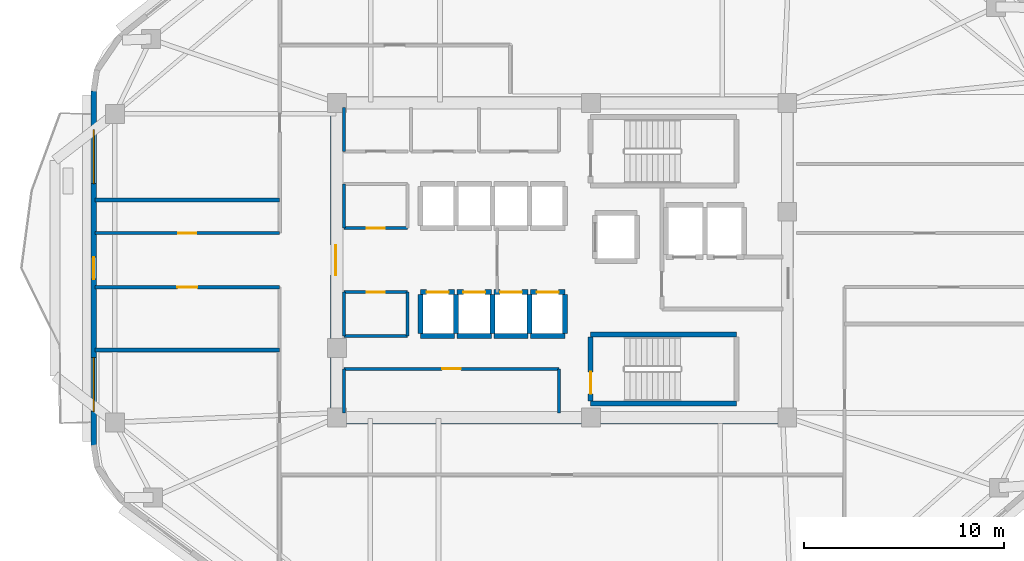
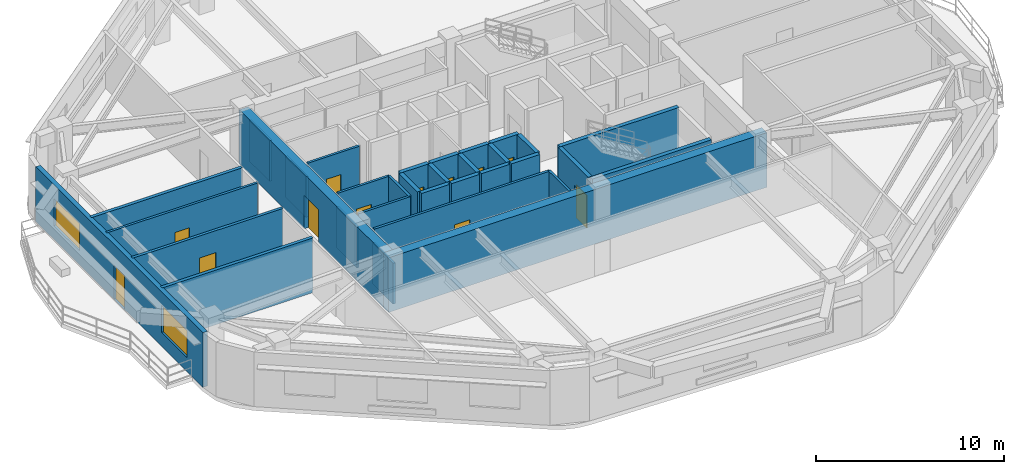
# One storey, part 3 of 8: 33 walls, 12 doors, 2 windows, 14 openings.
"""IFC4 building model written with IfcOpenShell, lengths in metres."""

from ifc_helpers import new_model, si_unit, direction, frame, frame_2d, origin, place, context, subcontext, project, spatial, rectangle, extrude, material, layer, layer_set, type_object, element, fill, save


model = new_model("IFC4")

# Units and contexts
model_context = context("Model", 3, precision=1e-05, world=origin(), true_north=direction((0.0, 1.0)))
body_context = subcontext(model_context, "Body", "Model", "MODEL_VIEW")
ifc_project = project(units=[si_unit("LENGTHUNIT", "METRE"), si_unit("AREAUNIT", "SQUARE_METRE"), si_unit("VOLUMEUNIT", "CUBIC_METRE"), si_unit("PLANEANGLEUNIT", "RADIAN"), si_unit("MASSUNIT", "GRAM", prefix="KILO")], contexts=[model_context])

# Site, building, storey
site_placement = place(None, origin())
site = spatial("IfcSite", under=ifc_project, at=site_placement, CompositionType="ELEMENT")
building_placement = place(site_placement, origin())
building = spatial("IfcBuilding", under=site, at=building_placement, Name="Zulverin Broadcast Headquarters", CompositionType="ELEMENT")
storey_placement = place(building_placement, frame((0.0, 0.0, 174.39990234375)))
storey = spatial("IfcBuildingStorey", under=building, at=storey_placement, Name="L44", CompositionType="ELEMENT", Elevation=174.39990234375)

# Walls
ifc_material_1 = material(Name="Acoustic drywall steel stud", Category="steel")
ifc_layer_1 = layer(ifc_material_1, 0.199951171875, Name="Acoustic drywall steel stud", Category="steel")
ifc_layer_set_1 = layer_set([ifc_layer_1], Name="Acoustic drywall steel stud")
wall_type_1 = type_object("IfcWallType", Name="WL-ACOU-200", PredefinedType="PARTITIONING", material=ifc_layer_set_1)
for number, where, z_axis, x_axis, name in (
    (1, (13.60498046875, 20.699951171875, 0.0), (0.0, 0.0, 1.0), (1.0, 0.0, 0.0), "L44 Room Partition Wall RP-06"),
    (2, (13.60498046875, 28.199951171875, 0.0), (0.0, 0.0, 1.0), (1.0, 0.0, 0.0), "L44 Room Partition Wall RP-12"),
):
    element("IfcWall", number, at=place(storey_placement, frame(where, z_axis=z_axis, x_axis=x_axis)), inside=storey, type_object=wall_type_1, Name=name, PredefinedType="PARTITIONING", context=body_context, shape_type="SweptSolid", body=[
        extrude(rectangle(XDim=9.2451171875, YDim=0.199951171875, at=frame_2d((4.62255859375, 0.0))), origin(), (0.0, 0.0, 1.0), 3.5400390625),
    ])
ifc_material_2 = material(Name="Concrete C60/75", Category="concrete")
ifc_layer_2 = layer(ifc_material_2, 0.550048828125, Name="Concrete C60/75", Category="concrete")
ifc_layer_set_2 = layer_set([ifc_layer_2], Name="Concrete C60/75")
wall_type_2 = type_object("IfcWallType", Name="WL-CORE-550", PredefinedType="SHEAR", material=ifc_layer_set_2)
wall_1_placement = place(storey_placement, frame((25.39990234375, 17.27490234375, 0.0), z_axis=(0.0, 0.0, 1.0), x_axis=(1.0, 0.0, 0.0)))
element("IfcWall", 3, at=wall_1_placement, inside=storey, type_object=wall_type_2, Name="L44 Core South Shear Wall", PredefinedType="SHEAR", context=body_context, shape_type="SweptSolid", body=[
    extrude(rectangle(XDim=23.2001953125, YDim=0.550048828125, at=frame_2d((11.60009765625, 0.0))), origin(), (0.0, 0.0, 1.0), 3.5400390625),
])

# Wall, opening, door
wall_2_placement = place(storey_placement, frame((25.675048828125, 17.550048828125, 0.0), z_axis=(0.0, 0.0, 1.0), x_axis=(0.0, 1.0, 0.0)))
wall_2 = element("IfcWall", 4, at=wall_2_placement, inside=storey, type_object=wall_type_2, Name="L44 Core West Shear Wall", PredefinedType="SHEAR", context=body_context, shape_type="SweptSolid", body=[
    extrude(rectangle(XDim=15.300048828125, YDim=0.550048828125, at=frame_2d((7.64990234375, 0.0))), origin(), (0.0, 0.0, 1.0), 3.5400390625),
])
opening_1_placement = place(wall_2_placement, frame((6.89990234375, 0.0, 0.0)))
opening_1 = element("IfcOpeningElement", 5, at=opening_1_placement, cuts=wall_2, Name="Opening D-L44-CW1", PredefinedType="OPENING", context=body_context, shape_type="SweptSolid", body=[
    extrude(rectangle(XDim=1.5, YDim=2.14990234375, at=frame_2d((0.75, 1.074951171875))), frame((0.0, 0.284912109375, 0.0), z_axis=(0.0, -1.0, 0.0), x_axis=(1.0, 0.0, 0.0)), (0.0, 0.0, 1.0), 0.570068359375),
])
ifc_material_3 = material(Name="Fire-rated glazed steel frame", Category="steel")
door_type_1 = type_object("IfcDoorType", Name="DR-COR-1500", OperationType="DOUBLE_DOOR_SINGLE_SWING", PredefinedType="DOOR", material=ifc_material_3)
door_1_placement = place(opening_1_placement, origin())
door_1 = element("IfcDoor", 6, at=door_1_placement, inside=storey, type_object=door_type_1, Name="L44 Central Lift Lobby West Portal Door", OperationType="DOUBLE_DOOR_SINGLE_SWING", OverallHeight=2.14990234375, OverallWidth=1.5, PredefinedType="DOOR", context=body_context, shape_type="SweptSolid", body=[
    extrude(rectangle(XDim=1.5, YDim=2.14990234375, at=frame_2d((0.75, 1.074951171875))), frame((0.0, 0.02490234375, 0.0), z_axis=(0.0, -1.0, 0.0), x_axis=(1.0, 0.0, 0.0)), (0.0, 0.0, 1.0), 0.050048828125),
])
fill(opening_1, door_1)

# Wall, openings, door, windows
ifc_material_4 = material(Name="Insulated pale-metal clad concrete spandrel C40/50", Category="concrete")
ifc_layer_3 = layer(ifc_material_4, 0.280029296875, Name="Insulated pale-metal clad concrete spandrel C40/50", Category="concrete")
ifc_layer_set_3 = layer_set([ifc_layer_3], Name="Insulated pale-metal clad concrete spandrel C40/50")
wall_type_3 = type_object("IfcWallType", Name="WL-EXT-280", PredefinedType="STANDARD", material=ifc_layer_set_3)
wall_3_placement = place(storey_placement, frame((13.5400390625, 33.673095703125, 0.0), z_axis=(0.0, 0.0, 1.0), x_axis=(0.0, -1.0, 0.0)))
wall_3 = element("IfcWall", 7, at=wall_3_placement, inside=storey, type_object=wall_type_3, Name="L44 Pale-Metal Clad Spandrel Wall 7", PredefinedType="STANDARD", context=body_context, shape_type="SweptSolid", body=[
    extrude(rectangle(XDim=17.751220703125, YDim=0.280029296875, at=frame_2d((8.87548828125, 0.0))), origin(), (0.0, 0.0, 1.0), 3.5400390625),
])
opening_2_placement = place(wall_3_placement, frame((8.32568359375, 0.0, 0.0)))
opening_2 = element("IfcOpeningElement", 8, at=opening_2_placement, cuts=wall_3, Name="Opening D-L44-TR7", PredefinedType="OPENING", context=body_context, shape_type="SweptSolid", body=[
    extrude(rectangle(XDim=1.10009765625, YDim=2.199951171875, at=frame_2d((0.550048828125, 1.10009765625))), frame((0.0, 0.14990234375, 0.0), z_axis=(0.0, -1.0, 0.0), x_axis=(1.0, 0.0, 0.0)), (0.0, 0.0, 1.0), 0.300048828125),
])
opening_3_placement = place(wall_3_placement, frame((1.94189453125, 0.0, 0.89990234375)))
opening_3 = element("IfcOpeningElement", 9, at=opening_3_placement, cuts=wall_3, Name="Opening W-L44-E71", PredefinedType="OPENING", context=body_context, shape_type="SweptSolid", body=[
    extrude(rectangle(XDim=2.699951171875, YDim=1.75, at=frame_2d((1.35009765625, 0.875))), frame((0.0, 0.14990234375, 0.0), z_axis=(0.0, -1.0, 0.0), x_axis=(1.0, 0.0, 0.0)), (0.0, 0.0, 1.0), 0.300048828125),
])
opening_4_placement = place(wall_3_placement, frame((13.359375, 0.0, 0.89990234375)))
opening_4 = element("IfcOpeningElement", 10, at=opening_4_placement, cuts=wall_3, Name="Opening W-L44-E72", PredefinedType="OPENING", context=body_context, shape_type="SweptSolid", body=[
    extrude(rectangle(XDim=2.699951171875, YDim=1.75, at=frame_2d((1.35009765625, 0.875))), frame((0.0, 0.14990234375, 0.0), z_axis=(0.0, -1.0, 0.0), x_axis=(1.0, 0.0, 0.0)), (0.0, 0.0, 1.0), 0.300048828125),
])
ifc_material_5 = material(Name="Thermally broken aluminium glazed", Category="aluminium")
door_type_2 = type_object("IfcDoorType", Name="DR-TERR-1100", OperationType="SINGLE_SWING_RIGHT", PredefinedType="DOOR", material=ifc_material_5)
door_2_placement = place(opening_2_placement, origin())
door_2 = element("IfcDoor", 11, at=door_2_placement, inside=storey, type_object=door_type_2, Name="L44 Planted Terrace Glazed Access Door 7", OperationType="SINGLE_SWING_RIGHT", OverallHeight=2.199951171875, OverallWidth=1.10009765625, PredefinedType="DOOR", context=body_context, shape_type="SweptSolid", body=[
    extrude(rectangle(XDim=1.10009765625, YDim=2.199951171875, at=frame_2d((0.550048828125, 1.10009765625))), frame((0.0, 0.02490234375, 0.0), z_axis=(0.0, -1.0, 0.0), x_axis=(1.0, 0.0, 0.0)), (0.0, 0.0, 1.0), 0.050048828125),
])
fill(opening_2, door_2)
ifc_material_6 = material(Name="Pale anodized aluminium frame with solar-control low-E double glazing", Category="aluminium")
window_type = type_object("IfcWindowType", Name="WIN-TWR-2700", PartitioningType="SINGLE_PANEL", PredefinedType="WINDOW", material=ifc_material_6)
window_1_placement = place(opening_3_placement, origin())
window_1 = element("IfcWindow", 12, at=window_1_placement, inside=storey, type_object=window_type, Name="L44 Ribbon Glazing Window 7 1", OverallHeight=1.75, OverallWidth=2.699951171875, PartitioningType="SINGLE_PANEL", PredefinedType="WINDOW", context=body_context, shape_type="SweptSolid", body=[
    extrude(rectangle(XDim=2.699951171875, YDim=1.75, at=frame_2d((1.35009765625, 0.875))), frame((0.0, 0.030029296875, 0.0), z_axis=(0.0, -1.0, 0.0), x_axis=(1.0, 0.0, 0.0)), (0.0, 0.0, 1.0), 0.06005859375),
])
fill(opening_3, window_1)
window_2_placement = place(opening_4_placement, origin())
window_2 = element("IfcWindow", 13, at=window_2_placement, inside=storey, type_object=window_type, Name="L44 Ribbon Glazing Window 7 2", OverallHeight=1.75, OverallWidth=2.699951171875, PartitioningType="SINGLE_PANEL", PredefinedType="WINDOW", context=body_context, shape_type="SweptSolid", body=[
    extrude(rectangle(XDim=2.699951171875, YDim=1.75, at=frame_2d((1.35009765625, 0.875))), frame((0.0, 0.030029296875, 0.0), z_axis=(0.0, -1.0, 0.0), x_axis=(1.0, 0.0, 0.0)), (0.0, 0.0, 1.0), 0.06005859375),
])
fill(opening_4, window_2)

# Wall
ifc_material_7 = material(Name="Fire-rated gypsum stud partition", Category="gypsum")
ifc_layer_4 = layer(ifc_material_7, 0.14990234375, Name="Fire-rated gypsum stud partition", Category="gypsum")
ifc_layer_set_4 = layer_set([ifc_layer_4], Name="Fire-rated gypsum stud partition")
wall_type_4 = type_object("IfcWallType", Name="WL-PART-150", PredefinedType="PARTITIONING", material=ifc_layer_set_4)
wall_4_placement = place(storey_placement, frame((26.070068359375, 30.64990234375, 0.0), z_axis=(0.0, 0.0, 1.0), x_axis=(0.0, 1.0, 0.0)))
element("IfcWall", 14, at=wall_4_placement, inside=storey, type_object=wall_type_4, Name="L44 Core Accessible WC West Wall", PredefinedType="PARTITIONING", context=body_context, shape_type="SweptSolid", body=[
    extrude(rectangle(XDim=2.2001953125, YDim=0.14990234375, at=frame_2d((1.10009765625, 0.0))), origin(), (0.0, 0.0, 1.0), 2.64013671875),
])

# Wall, opening, door
wall_5_placement = place(storey_placement, frame((26.070068359375, 19.75, 0.0), z_axis=(0.0, 0.0, 1.0), x_axis=(1.0, 0.0, 0.0)))
wall_5 = element("IfcWall", 15, at=wall_5_placement, inside=storey, type_object=wall_type_4, Name="L44 Core Female WC & Facilities Room Front Wall", PredefinedType="PARTITIONING", context=body_context, shape_type="SweptSolid", body=[
    extrude(rectangle(XDim=10.780029296875, YDim=0.14990234375, at=frame_2d((5.39013671875, 0.0))), origin(), (0.0, 0.0, 1.0), 3.5400390625),
])
opening_5_placement = place(wall_5_placement, frame((4.9150390625, 0.0, 0.0)))
opening_5 = element("IfcOpeningElement", 16, at=opening_5_placement, cuts=wall_5, Name="Opening D-L44-SC1", PredefinedType="OPENING", context=body_context, shape_type="SweptSolid", body=[
    extrude(rectangle(XDim=0.949951171875, YDim=2.10009765625, at=frame_2d((0.47509765625, 1.050048828125))), frame((0.0, 0.0849609375, 0.0), z_axis=(0.0, -1.0, 0.0), x_axis=(1.0, 0.0, 0.0)), (0.0, 0.0, 1.0), 0.169921875),
])
ifc_material_8 = material(Name="Fire-rated moisture-resistant laminate leaf", Category="wood")
door_type_3 = type_object("IfcDoorType", Name="DR-WC-950", OperationType="SINGLE_SWING_LEFT", PredefinedType="DOOR", material=ifc_material_8)
door_3_placement = place(opening_5_placement, origin())
door_3 = element("IfcDoor", 17, at=door_3_placement, inside=storey, type_object=door_type_3, Name="L44 Female WC & Facilities Room Door", OperationType="SINGLE_SWING_RIGHT", OverallHeight=2.10009765625, OverallWidth=0.949951171875, PredefinedType="DOOR", context=body_context, shape_type="SweptSolid", body=[
    extrude(rectangle(XDim=0.949951171875, YDim=2.10009765625, at=frame_2d((0.47509765625, 1.050048828125))), frame((0.0, 0.02490234375, 0.0), z_axis=(0.0, -1.0, 0.0), x_axis=(1.0, 0.0, 0.0)), (0.0, 0.0, 1.0), 0.050048828125),
])
fill(opening_5, door_3)

# Walls
wall_6_placement = place(storey_placement, frame((26.070068359375, 17.550048828125, 0.0), z_axis=(0.0, 0.0, 1.0), x_axis=(0.0, 1.0, 0.0)))
element("IfcWall", 18, at=wall_6_placement, inside=storey, type_object=wall_type_4, Name="L44 Core Female WC & Facilities Room West Wall", PredefinedType="PARTITIONING", context=body_context, shape_type="SweptSolid", body=[
    extrude(rectangle(XDim=2.199951171875, YDim=0.14990234375, at=frame_2d((1.10009765625, 0.0))), origin(), (0.0, 0.0, 1.0), 2.64013671875),
])
wall_7_placement = place(storey_placement, frame((36.85009765625, 17.550048828125, 0.0), z_axis=(0.0, 0.0, 1.0), x_axis=(0.0, 1.0, 0.0)))
element("IfcWall", 19, at=wall_7_placement, inside=storey, type_object=wall_type_4, Name="L44 Core Female WC & Facilities Room East Wall", PredefinedType="PARTITIONING", context=body_context, shape_type="SweptSolid", body=[
    extrude(rectangle(XDim=2.199951171875, YDim=0.14990234375, at=frame_2d((1.10009765625, 0.0))), origin(), (0.0, 0.0, 1.0), 3.5400390625),
])

# Wall, opening, door
wall_8_placement = place(storey_placement, frame((26.070068359375, 26.800048828125, 0.0), z_axis=(0.0, 0.0, 1.0), x_axis=(1.0, 0.0, 0.0)))
wall_8 = element("IfcWall", 20, at=wall_8_placement, inside=storey, type_object=wall_type_4, Name="L44 Core UPS Battery Store S Wall", PredefinedType="PARTITIONING", context=body_context, shape_type="SweptSolid", body=[
    extrude(rectangle(XDim=3.179931640625, YDim=0.14990234375, at=frame_2d((1.58984375, 0.0))), origin(), (0.0, 0.0, 1.0), 3.5400390625),
])
opening_6_placement = place(wall_8_placement, frame((1.139892578125, 0.0, 0.0)))
opening_6 = element("IfcOpeningElement", 21, at=opening_6_placement, cuts=wall_8, Name="Opening D-L44-RCLN", PredefinedType="OPENING", context=body_context, shape_type="SweptSolid", body=[
    extrude(rectangle(XDim=0.89990234375, YDim=2.10009765625, at=frame_2d((0.449951171875, 1.050048828125))), frame((0.0, 0.0849609375, 0.0), z_axis=(0.0, -1.0, 0.0), x_axis=(1.0, 0.0, 0.0)), (0.0, 0.0, 1.0), 0.169921875),
])
ifc_material_9 = material(Name="Powder-coated steel access leaf", Category="steel")
door_type_4 = type_object("IfcDoorType", Name="DR-RISER-900", OperationType="SINGLE_SWING_LEFT", PredefinedType="DOOR", material=ifc_material_9)
door_4_placement = place(opening_6_placement, origin())
door_4 = element("IfcDoor", 22, at=door_4_placement, inside=storey, type_object=door_type_4, Name="L44 Core UPS Battery Store Door", OperationType="SINGLE_SWING_LEFT", OverallHeight=2.10009765625, OverallWidth=0.89990234375, PredefinedType="DOOR", context=body_context, shape_type="SweptSolid", body=[
    extrude(rectangle(XDim=0.89990234375, YDim=2.10009765625, at=frame_2d((0.449951171875, 1.050048828125))), frame((0.0, 0.02490234375, 0.0), z_axis=(0.0, -1.0, 0.0), x_axis=(1.0, 0.0, 0.0)), (0.0, 0.0, 1.0), 0.050048828125),
])
fill(opening_6, door_4)

# Walls
wall_9_placement = place(storey_placement, frame((26.070068359375, 26.800048828125, 0.0), z_axis=(0.0, 0.0, 1.0), x_axis=(0.0, 1.0, 0.0)))
element("IfcWall", 23, at=wall_9_placement, inside=storey, type_object=wall_type_4, Name="L44 Core UPS Battery Store W Wall", PredefinedType="PARTITIONING", context=body_context, shape_type="SweptSolid", body=[
    extrude(rectangle(XDim=2.199951171875, YDim=0.14990234375, at=frame_2d((1.10009765625, 0.0))), origin(), (0.0, 0.0, 1.0), 2.64013671875),
])
wall_10_placement = place(storey_placement, frame((26.070068359375, 21.39990234375, 0.0), z_axis=(0.0, 0.0, 1.0), x_axis=(1.0, 0.0, 0.0)))
element("IfcWall", 24, at=wall_10_placement, inside=storey, type_object=wall_type_4, Name="L44 Media Ingestion Server Room S Wall", PredefinedType="PARTITIONING", context=body_context, shape_type="SweptSolid", body=[
    extrude(rectangle(XDim=3.179931640625, YDim=0.14990234375, at=frame_2d((1.58984375, 0.0))), origin(), (0.0, 0.0, 1.0), 3.5400390625),
])

# Wall, opening, door
wall_11_placement = place(storey_placement, frame((26.070068359375, 23.60009765625, 0.0), z_axis=(0.0, 0.0, 1.0), x_axis=(1.0, 0.0, 0.0)))
wall_11 = element("IfcWall", 25, at=wall_11_placement, inside=storey, type_object=wall_type_4, Name="L44 Media Ingestion Server Room N Wall", PredefinedType="PARTITIONING", context=body_context, shape_type="SweptSolid", body=[
    extrude(rectangle(XDim=3.179931640625, YDim=0.14990234375, at=frame_2d((1.58984375, 0.0))), origin(), (0.0, 0.0, 1.0), 3.5400390625),
])
opening_7_placement = place(wall_11_placement, frame((1.139892578125, 0.0, 0.0)))
opening_7 = element("IfcOpeningElement", 26, at=opening_7_placement, cuts=wall_11, Name="Opening D-L44-RCLS", PredefinedType="OPENING", context=body_context, shape_type="SweptSolid", body=[
    extrude(rectangle(XDim=0.89990234375, YDim=2.10009765625, at=frame_2d((0.449951171875, 1.050048828125))), frame((0.0, 0.0849609375, 0.0), z_axis=(0.0, -1.0, 0.0), x_axis=(1.0, 0.0, 0.0)), (0.0, 0.0, 1.0), 0.169921875),
])
door_5_placement = place(opening_7_placement, origin())
door_5 = element("IfcDoor", 27, at=door_5_placement, inside=storey, type_object=door_type_4, Name="L44 Media Ingestion Server Room Door", OperationType="SINGLE_SWING_RIGHT", OverallHeight=2.10009765625, OverallWidth=0.89990234375, PredefinedType="DOOR", context=body_context, shape_type="SweptSolid", body=[
    extrude(rectangle(XDim=0.89990234375, YDim=2.10009765625, at=frame_2d((0.449951171875, 1.050048828125))), frame((0.0, 0.02490234375, 0.0), z_axis=(0.0, -1.0, 0.0), x_axis=(1.0, 0.0, 0.0)), (0.0, 0.0, 1.0), 0.050048828125),
])
fill(opening_7, door_5)

# Walls
wall_12_placement = place(storey_placement, frame((26.070068359375, 21.39990234375, 0.0), z_axis=(0.0, 0.0, 1.0), x_axis=(0.0, 1.0, 0.0)))
element("IfcWall", 28, at=wall_12_placement, inside=storey, type_object=wall_type_4, Name="L44 Media Ingestion Server Room W Wall", PredefinedType="PARTITIONING", context=body_context, shape_type="SweptSolid", body=[
    extrude(rectangle(XDim=2.2001953125, YDim=0.14990234375, at=frame_2d((1.10009765625, 0.0))), origin(), (0.0, 0.0, 1.0), 2.64013671875),
])
wall_13_placement = place(storey_placement, frame((29.25, 21.39990234375, 0.0), z_axis=(0.0, 0.0, 1.0), x_axis=(0.0, 1.0, 0.0)))
element("IfcWall", 29, at=wall_13_placement, inside=storey, type_object=wall_type_4, Name="L44 Media Ingestion Server Room E Wall", PredefinedType="PARTITIONING", context=body_context, shape_type="SweptSolid", body=[
    extrude(rectangle(XDim=2.2001953125, YDim=0.14990234375, at=frame_2d((1.10009765625, 0.0))), origin(), (0.0, 0.0, 1.0), 3.5400390625),
])

# Wall, opening, door
wall_14_placement = place(storey_placement, frame((13.60498046875, 26.550048828125, 0.0), z_axis=(0.0, 0.0, 1.0), x_axis=(1.0, 0.0, 0.0)))
wall_14 = element("IfcWall", 30, at=wall_14_placement, inside=storey, type_object=wall_type_4, Name="L44 Gallery Partition Wall CG-10", PredefinedType="PARTITIONING", context=body_context, shape_type="SweptSolid", body=[
    extrude(rectangle(XDim=9.2451171875, YDim=0.14990234375, at=frame_2d((4.62255859375, 0.0))), origin(), (0.0, 0.0, 1.0), 3.5400390625),
])
opening_8_placement = place(wall_14_placement, frame((4.172607421875, 0.0, 0.0)))
opening_8 = element("IfcOpeningElement", 31, at=opening_8_placement, cuts=wall_14, Name="Opening D-L44-05", PredefinedType="OPENING", context=body_context, shape_type="SweptSolid", body=[
    extrude(rectangle(XDim=0.89990234375, YDim=2.10009765625, at=frame_2d((0.449951171875, 1.050048828125))), frame((0.0, 0.0849609375, 0.0), z_axis=(0.0, -1.0, 0.0), x_axis=(1.0, 0.0, 0.0)), (0.0, 0.0, 1.0), 0.169921875),
])
ifc_material_10 = material(Name="Fire-rated hardwood veneer timber leaf", Category="wood")
door_type_5 = type_object("IfcDoorType", Name="DR-ROOM-900", OperationType="SINGLE_SWING_RIGHT", PredefinedType="DOOR", material=ifc_material_10)
door_6_placement = place(opening_8_placement, origin())
door_6 = element("IfcDoor", 32, at=door_6_placement, inside=storey, type_object=door_type_5, Name="L44 Editorial Meeting Room Door", OperationType="SINGLE_SWING_RIGHT", OverallHeight=2.10009765625, OverallWidth=0.89990234375, PredefinedType="DOOR", context=body_context, shape_type="SweptSolid", body=[
    extrude(rectangle(XDim=0.89990234375, YDim=2.10009765625, at=frame_2d((0.449951171875, 1.050048828125))), frame((0.0, 0.02490234375, 0.0), z_axis=(0.0, -1.0, 0.0), x_axis=(1.0, 0.0, 0.0)), (0.0, 0.0, 1.0), 0.050048828125),
])
fill(opening_8, door_6)

ifc_material_11 = material(Name="Fire-rated acoustic stud wall", Category="gypsum")
ifc_layer_5 = layer(ifc_material_11, 0.175048828125, Name="Fire-rated acoustic stud wall", Category="gypsum")
ifc_layer_set_5 = layer_set([ifc_layer_5], Name="Fire-rated acoustic stud wall")
wall_type_5 = type_object("IfcWallType", Name="WL-PART-175", PredefinedType="PARTITIONING", material=ifc_layer_set_5)
wall_15_placement = place(storey_placement, frame((13.60498046875, 23.85009765625, 0.0), z_axis=(0.0, 0.0, 1.0), x_axis=(1.0, 0.0, 0.0)))
wall_15 = element("IfcWall", 33, at=wall_15_placement, inside=storey, type_object=wall_type_5, Name="L44 Gallery Partition Wall CG-08", PredefinedType="PARTITIONING", context=body_context, shape_type="SweptSolid", body=[
    extrude(rectangle(XDim=9.2451171875, YDim=0.175048828125, at=frame_2d((4.62255859375, 0.0))), origin(), (0.0, 0.0, 1.0), 3.5400390625),
])
opening_9_placement = place(wall_15_placement, frame((4.12255859375, 0.0, 0.0)))
opening_9 = element("IfcOpeningElement", 34, at=opening_9_placement, cuts=wall_15, Name="Opening D-L44-04", PredefinedType="OPENING", context=body_context, shape_type="SweptSolid", body=[
    extrude(rectangle(XDim=1.0, YDim=2.1201171875, at=frame_2d((0.5, 1.06005859375))), frame((0.0, 0.097412109375, 0.0), z_axis=(0.0, -1.0, 0.0), x_axis=(1.0, 0.0, 0.0)), (0.0, 0.0, 1.0), 0.195068359375),
])
ifc_material_12 = material(Name="Hardwood veneer acoustic leaf", Category="wood")
door_type_6 = type_object("IfcDoorType", Name="DR-OFF-1000", OperationType="SINGLE_SWING_LEFT", PredefinedType="DOOR", material=ifc_material_12)
door_7_placement = place(opening_9_placement, origin())
door_7 = element("IfcDoor", 35, at=door_7_placement, inside=storey, type_object=door_type_6, Name="L44 Digital Desk Office Door", OperationType="SINGLE_SWING_LEFT", OverallHeight=2.1201171875, OverallWidth=1.0, PredefinedType="DOOR", context=body_context, shape_type="SweptSolid", body=[
    extrude(rectangle(XDim=1.0, YDim=2.1201171875, at=frame_2d((0.5, 1.06005859375))), frame((0.0, 0.02490234375, 0.0), z_axis=(0.0, -1.0, 0.0), x_axis=(1.0, 0.0, 0.0)), (0.0, 0.0, 1.0), 0.050048828125),
])
fill(opening_9, door_7)

# Walls
ifc_material_13 = material(Name="Concrete C50/60", Category="concrete")
ifc_layer_6 = layer(ifc_material_13, 0.25, Name="Concrete C50/60", Category="concrete")
ifc_layer_set_6 = layer_set([ifc_layer_6], Name="Concrete C50/60")
wall_type_6 = type_object("IfcWallType", Name="WL-SHAFT-250", PredefinedType="SHEAR", material=ifc_layer_set_6)
for number, where, z_axis, x_axis, name in (
    (36, (38.425048828125, 18.02490234375, 0.0), (0.0, 0.0, 1.0), (1.0, 0.0, 0.0), "L44 ST-2 Enclosure Wall S"),
    (37, (38.425048828125, 21.47509765625, 0.0), (0.0, 0.0, 1.0), (1.0, 0.0, 0.0), "L44 ST-2 Enclosure Wall N"),
):
    element("IfcWall", number, at=place(storey_placement, frame(where, z_axis=z_axis, x_axis=x_axis)), inside=storey, type_object=wall_type_6, Name=name, PredefinedType="SHEAR", context=body_context, shape_type="SweptSolid", body=[
        extrude(rectangle(XDim=7.300048828125, YDim=0.25, at=frame_2d((3.64990234375, 0.0))), origin(), (0.0, 0.0, 1.0), 3.5400390625),
    ])

# Wall, opening, door
wall_16_placement = place(storey_placement, frame((38.425048828125, 18.14990234375, 0.0), z_axis=(0.0, 0.0, 1.0), x_axis=(0.0, 1.0, 0.0)))
wall_16 = element("IfcWall", 38, at=wall_16_placement, inside=storey, type_object=wall_type_6, Name="L44 ST-2 Enclosure Wall W", PredefinedType="SHEAR", context=body_context, shape_type="SweptSolid", body=[
    extrude(rectangle(XDim=3.2001953125, YDim=0.25, at=frame_2d((1.60009765625, 0.0))), origin(), (0.0, 0.0, 1.0), 3.5400390625),
])
opening_10_placement = place(wall_16_placement, frame((0.35009765625, 0.0, 0.0)))
opening_10 = element("IfcOpeningElement", 39, at=opening_10_placement, cuts=wall_16, Name="Opening D-L44-ST-2", PredefinedType="OPENING", context=body_context, shape_type="SweptSolid", body=[
    extrude(rectangle(XDim=1.10009765625, YDim=2.14990234375, at=frame_2d((0.550048828125, 1.074951171875))), frame((0.0, 0.135009765625, 0.0), z_axis=(0.0, -1.0, 0.0), x_axis=(1.0, 0.0, 0.0)), (0.0, 0.0, 1.0), 0.27001953125),
])
ifc_material_14 = material(Name="Fire-rated steel leaf and frame", Category="steel")
door_type_7 = type_object("IfcDoorType", Name="DR-STAIR-1100", OperationType="SINGLE_SWING_LEFT", PredefinedType="DOOR", material=ifc_material_14)
door_8_placement = place(opening_10_placement, origin())
door_8 = element("IfcDoor", 40, at=door_8_placement, inside=storey, type_object=door_type_7, Name="L44 Exit Stair ST-2 Fire Door", OperationType="SINGLE_SWING_RIGHT", OverallHeight=2.14990234375, OverallWidth=1.10009765625, PredefinedType="DOOR", context=body_context, shape_type="SweptSolid", body=[
    extrude(rectangle(XDim=1.10009765625, YDim=2.14990234375, at=frame_2d((0.550048828125, 1.074951171875))), frame((0.0, 0.02490234375, 0.0), z_axis=(0.0, -1.0, 0.0), x_axis=(1.0, 0.0, 0.0)), (0.0, 0.0, 1.0), 0.050048828125),
])
fill(opening_10, door_8)

# Wall
wall_17_placement = place(storey_placement, frame((29.89990234375, 21.39990234375, 0.0), z_axis=(0.0, 0.0, 1.0), x_axis=(1.0, 0.0, 0.0)))
element("IfcWall", 41, at=wall_17_placement, inside=storey, type_object=wall_type_6, Name="L44 Lift PL-M1 Shaft Wall S", PredefinedType="SHEAR", context=body_context, shape_type="SweptSolid", body=[
    extrude(rectangle(XDim=1.72021484375, YDim=0.25, at=frame_2d((0.860107421875, 0.0))), origin(), (0.0, 0.0, 1.0), 3.5400390625),
])

# Wall, opening, door
wall_18_placement = place(storey_placement, frame((29.89990234375, 23.60009765625, 0.0), z_axis=(0.0, 0.0, 1.0), x_axis=(1.0, 0.0, 0.0)))
wall_18 = element("IfcWall", 42, at=wall_18_placement, inside=storey, type_object=wall_type_6, Name="L44 Lift PL-M1 Shaft Wall N", PredefinedType="SHEAR", context=body_context, shape_type="SweptSolid", body=[
    extrude(rectangle(XDim=1.72021484375, YDim=0.25, at=frame_2d((0.860107421875, 0.0))), origin(), (0.0, 0.0, 1.0), 3.5400390625),
])
opening_11_placement = place(wall_18_placement, frame((0.31005859375, 0.0, 0.0)))
opening_11 = element("IfcOpeningElement", 43, at=opening_11_placement, cuts=wall_18, Name="Opening LD-PL-M1-L44", PredefinedType="OPENING", context=body_context, shape_type="SweptSolid", body=[
    extrude(rectangle(XDim=1.10009765625, YDim=2.14990234375, at=frame_2d((0.550048828125, 1.074951171875))), frame((0.0, 0.135009765625, 0.0), z_axis=(0.0, -1.0, 0.0), x_axis=(1.0, 0.0, 0.0)), (0.0, 0.0, 1.0), 0.27001953125),
])
ifc_material_15 = material(Name="Brushed stainless steel landing", Category="steel")
door_type_8 = type_object("IfcDoorType", Name="LD-PASS-1100", OperationType="DOUBLE_DOOR_SLIDING", PredefinedType="DOOR", material=ifc_material_15)
door_9_placement = place(opening_11_placement, origin())
door_9 = element("IfcDoor", 44, at=door_9_placement, inside=storey, type_object=door_type_8, Name="L44 Lift PL-M1 Sliding Landing Door", OperationType="DOUBLE_DOOR_SLIDING", OverallHeight=2.14990234375, OverallWidth=1.10009765625, PredefinedType="DOOR", context=body_context, shape_type="SweptSolid", body=[
    extrude(rectangle(XDim=1.10009765625, YDim=2.14990234375, at=frame_2d((0.550048828125, 1.074951171875))), frame((0.0, 0.02490234375, 0.0), z_axis=(0.0, -1.0, 0.0), x_axis=(1.0, 0.0, 0.0)), (0.0, 0.0, 1.0), 0.050048828125),
])
fill(opening_11, door_9)

# Walls
for number, where, z_axis, x_axis, name in (
    (45, (29.89990234375, 21.52001953125, 0.0), (0.0, 0.0, 1.0), (0.0, 1.0, 0.0), "L44 Lift PL-M1 Shaft Wall W"),
    (46, (31.679931640625, 21.52001953125, 0.0), (0.0, 0.0, 1.0), (0.0, 1.0, 0.0), "L44 Lift PL-M1 Shaft Wall E"),
):
    element("IfcWall", number, at=place(storey_placement, frame(where, z_axis=z_axis, x_axis=x_axis)), inside=storey, type_object=wall_type_6, Name=name, PredefinedType="SHEAR", context=body_context, shape_type="SweptSolid", body=[
        extrude(rectangle(XDim=1.9599609375, YDim=0.25, at=frame_2d((0.97998046875, 0.0))), origin(), (0.0, 0.0, 1.0), 3.5400390625),
    ])
wall_19_placement = place(storey_placement, frame((31.739990234375, 21.39990234375, 0.0), z_axis=(0.0, 0.0, 1.0), x_axis=(1.0, 0.0, 0.0)))
element("IfcWall", 47, at=wall_19_placement, inside=storey, type_object=wall_type_6, Name="L44 Lift PL-M2 Shaft Wall S", PredefinedType="SHEAR", context=body_context, shape_type="SweptSolid", body=[
    extrude(rectangle(XDim=1.719970703125, YDim=0.25, at=frame_2d((0.85986328125, 0.0))), origin(), (0.0, 0.0, 1.0), 3.5400390625),
])

# Wall, opening, door
wall_20_placement = place(storey_placement, frame((31.739990234375, 23.60009765625, 0.0), z_axis=(0.0, 0.0, 1.0), x_axis=(1.0, 0.0, 0.0)))
wall_20 = element("IfcWall", 48, at=wall_20_placement, inside=storey, type_object=wall_type_6, Name="L44 Lift PL-M2 Shaft Wall N", PredefinedType="SHEAR", context=body_context, shape_type="SweptSolid", body=[
    extrude(rectangle(XDim=1.719970703125, YDim=0.25, at=frame_2d((0.85986328125, 0.0))), origin(), (0.0, 0.0, 1.0), 3.5400390625),
])
opening_12_placement = place(wall_20_placement, frame((0.31005859375, 0.0, 0.0)))
opening_12 = element("IfcOpeningElement", 49, at=opening_12_placement, cuts=wall_20, Name="Opening LD-PL-M2-L44", PredefinedType="OPENING", context=body_context, shape_type="SweptSolid", body=[
    extrude(rectangle(XDim=1.10009765625, YDim=2.14990234375, at=frame_2d((0.550048828125, 1.074951171875))), frame((0.0, 0.135009765625, 0.0), z_axis=(0.0, -1.0, 0.0), x_axis=(1.0, 0.0, 0.0)), (0.0, 0.0, 1.0), 0.27001953125),
])
door_10_placement = place(opening_12_placement, origin())
door_10 = element("IfcDoor", 50, at=door_10_placement, inside=storey, type_object=door_type_8, Name="L44 Lift PL-M2 Sliding Landing Door", OperationType="DOUBLE_DOOR_SLIDING", OverallHeight=2.14990234375, OverallWidth=1.10009765625, PredefinedType="DOOR", context=body_context, shape_type="SweptSolid", body=[
    extrude(rectangle(XDim=1.10009765625, YDim=2.14990234375, at=frame_2d((0.550048828125, 1.074951171875))), frame((0.0, 0.02490234375, 0.0), z_axis=(0.0, -1.0, 0.0), x_axis=(1.0, 0.0, 0.0)), (0.0, 0.0, 1.0), 0.050048828125),
])
fill(opening_12, door_10)

# Walls
wall_21_placement = place(storey_placement, frame((33.52001953125, 21.52001953125, 0.0), z_axis=(0.0, 0.0, 1.0), x_axis=(0.0, 1.0, 0.0)))
element("IfcWall", 51, at=wall_21_placement, inside=storey, type_object=wall_type_6, Name="L44 Lift PL-M2 Shaft Wall E", PredefinedType="SHEAR", context=body_context, shape_type="SweptSolid", body=[
    extrude(rectangle(XDim=1.9599609375, YDim=0.25, at=frame_2d((0.97998046875, 0.0))), origin(), (0.0, 0.0, 1.0), 3.5400390625),
])
wall_22_placement = place(storey_placement, frame((33.580078125, 21.39990234375, 0.0), z_axis=(0.0, 0.0, 1.0), x_axis=(1.0, 0.0, 0.0)))
element("IfcWall", 52, at=wall_22_placement, inside=storey, type_object=wall_type_6, Name="L44 Lift PL-M3 Shaft Wall S", PredefinedType="SHEAR", context=body_context, shape_type="SweptSolid", body=[
    extrude(rectangle(XDim=1.719970703125, YDim=0.25, at=frame_2d((0.85986328125, 0.0))), origin(), (0.0, 0.0, 1.0), 3.5400390625),
])

# Wall, opening, door
wall_23_placement = place(storey_placement, frame((33.580078125, 23.60009765625, 0.0), z_axis=(0.0, 0.0, 1.0), x_axis=(1.0, 0.0, 0.0)))
wall_23 = element("IfcWall", 53, at=wall_23_placement, inside=storey, type_object=wall_type_6, Name="L44 Lift PL-M3 Shaft Wall N", PredefinedType="SHEAR", context=body_context, shape_type="SweptSolid", body=[
    extrude(rectangle(XDim=1.719970703125, YDim=0.25, at=frame_2d((0.85986328125, 0.0))), origin(), (0.0, 0.0, 1.0), 3.5400390625),
])
opening_13_placement = place(wall_23_placement, frame((0.31005859375, 0.0, 0.0)))
opening_13 = element("IfcOpeningElement", 54, at=opening_13_placement, cuts=wall_23, Name="Opening LD-PL-M3-L44", PredefinedType="OPENING", context=body_context, shape_type="SweptSolid", body=[
    extrude(rectangle(XDim=1.10009765625, YDim=2.14990234375, at=frame_2d((0.550048828125, 1.074951171875))), frame((0.0, 0.135009765625, 0.0), z_axis=(0.0, -1.0, 0.0), x_axis=(1.0, 0.0, 0.0)), (0.0, 0.0, 1.0), 0.27001953125),
])
door_11_placement = place(opening_13_placement, origin())
door_11 = element("IfcDoor", 55, at=door_11_placement, inside=storey, type_object=door_type_8, Name="L44 Lift PL-M3 Sliding Landing Door", OperationType="DOUBLE_DOOR_SLIDING", OverallHeight=2.14990234375, OverallWidth=1.10009765625, PredefinedType="DOOR", context=body_context, shape_type="SweptSolid", body=[
    extrude(rectangle(XDim=1.10009765625, YDim=2.14990234375, at=frame_2d((0.550048828125, 1.074951171875))), frame((0.0, 0.02490234375, 0.0), z_axis=(0.0, -1.0, 0.0), x_axis=(1.0, 0.0, 0.0)), (0.0, 0.0, 1.0), 0.050048828125),
])
fill(opening_13, door_11)

# Walls
wall_24_placement = place(storey_placement, frame((35.360107421875, 21.52001953125, 0.0), z_axis=(0.0, 0.0, 1.0), x_axis=(0.0, 1.0, 0.0)))
element("IfcWall", 56, at=wall_24_placement, inside=storey, type_object=wall_type_6, Name="L44 Lift PL-M3 Shaft Wall E", PredefinedType="SHEAR", context=body_context, shape_type="SweptSolid", body=[
    extrude(rectangle(XDim=1.9599609375, YDim=0.25, at=frame_2d((0.97998046875, 0.0))), origin(), (0.0, 0.0, 1.0), 3.5400390625),
])
wall_25_placement = place(storey_placement, frame((35.419921875, 21.39990234375, 0.0), z_axis=(0.0, 0.0, 1.0), x_axis=(1.0, 0.0, 0.0)))
element("IfcWall", 57, at=wall_25_placement, inside=storey, type_object=wall_type_6, Name="L44 Lift PL-M4 Shaft Wall S", PredefinedType="SHEAR", context=body_context, shape_type="SweptSolid", body=[
    extrude(rectangle(XDim=1.719970703125, YDim=0.25, at=frame_2d((0.85986328125, 0.0))), origin(), (0.0, 0.0, 1.0), 3.5400390625),
])

# Wall, opening, door
wall_26_placement = place(storey_placement, frame((35.419921875, 23.60009765625, 0.0), z_axis=(0.0, 0.0, 1.0), x_axis=(1.0, 0.0, 0.0)))
wall_26 = element("IfcWall", 58, at=wall_26_placement, inside=storey, type_object=wall_type_6, Name="L44 Lift PL-M4 Shaft Wall N", PredefinedType="SHEAR", context=body_context, shape_type="SweptSolid", body=[
    extrude(rectangle(XDim=1.719970703125, YDim=0.25, at=frame_2d((0.85986328125, 0.0))), origin(), (0.0, 0.0, 1.0), 3.5400390625),
])
opening_14_placement = place(wall_26_placement, frame((0.31005859375, 0.0, 0.0)))
opening_14 = element("IfcOpeningElement", 59, at=opening_14_placement, cuts=wall_26, Name="Opening LD-PL-M4-L44", PredefinedType="OPENING", context=body_context, shape_type="SweptSolid", body=[
    extrude(rectangle(XDim=1.10009765625, YDim=2.14990234375, at=frame_2d((0.550048828125, 1.074951171875))), frame((0.0, 0.135009765625, 0.0), z_axis=(0.0, -1.0, 0.0), x_axis=(1.0, 0.0, 0.0)), (0.0, 0.0, 1.0), 0.27001953125),
])
door_12_placement = place(opening_14_placement, origin())
door_12 = element("IfcDoor", 60, at=door_12_placement, inside=storey, type_object=door_type_8, Name="L44 Lift PL-M4 Sliding Landing Door", OperationType="DOUBLE_DOOR_SLIDING", OverallHeight=2.14990234375, OverallWidth=1.10009765625, PredefinedType="DOOR", context=body_context, shape_type="SweptSolid", body=[
    extrude(rectangle(XDim=1.10009765625, YDim=2.14990234375, at=frame_2d((0.550048828125, 1.074951171875))), frame((0.0, 0.02490234375, 0.0), z_axis=(0.0, -1.0, 0.0), x_axis=(1.0, 0.0, 0.0)), (0.0, 0.0, 1.0), 0.050048828125),
])
fill(opening_14, door_12)

# Wall
wall_27_placement = place(storey_placement, frame((37.139892578125, 21.52001953125, 0.0), z_axis=(0.0, 0.0, 1.0), x_axis=(0.0, 1.0, 0.0)))
element("IfcWall", 61, at=wall_27_placement, inside=storey, type_object=wall_type_6, Name="L44 Lift PL-M4 Shaft Wall E", PredefinedType="SHEAR", context=body_context, shape_type="SweptSolid", body=[
    extrude(rectangle(XDim=1.9599609375, YDim=0.25, at=frame_2d((0.97998046875, 0.0))), origin(), (0.0, 0.0, 1.0), 3.5400390625),
])

save(model, "model.ifc")
